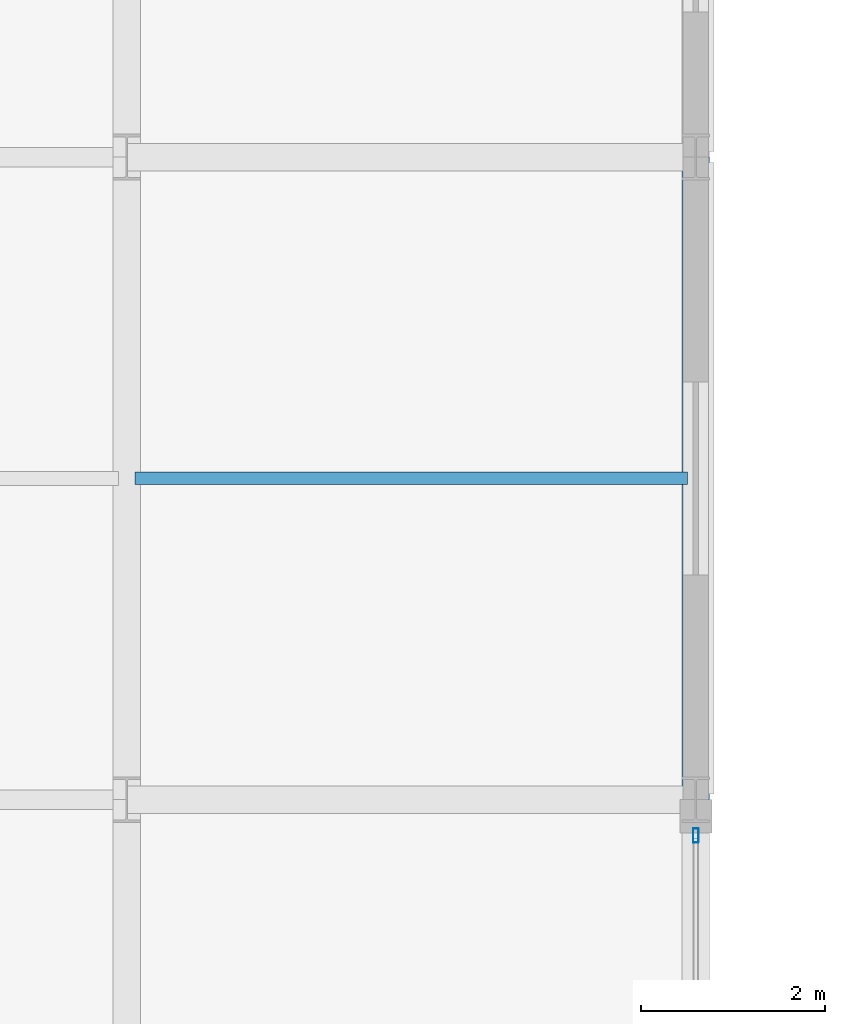
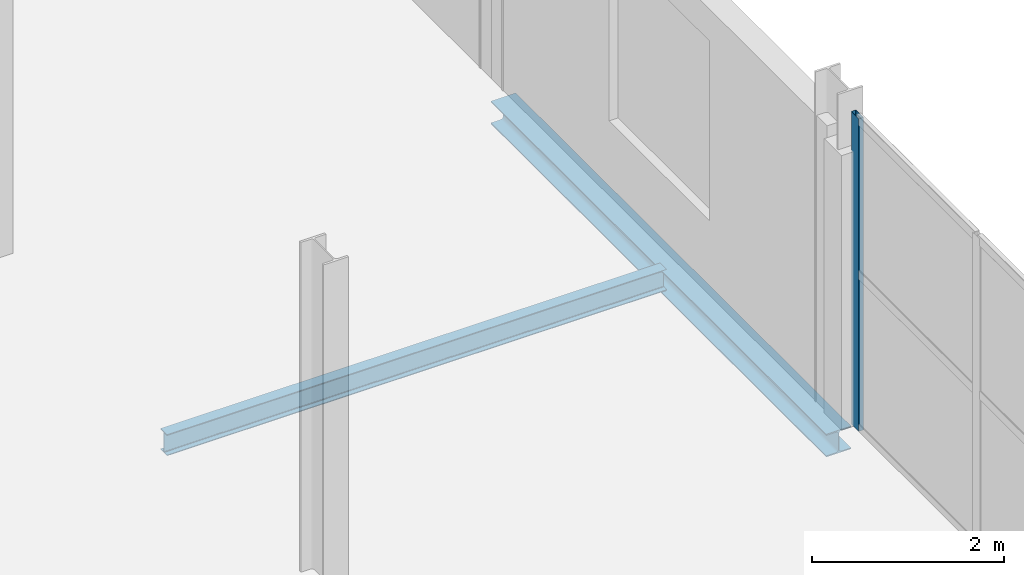
# One storey, part 64 of 101: 2 beams, 1 member, 1 element without a shape of its own.
"""IFC4 building model written with IfcOpenShell, lengths in metres."""

from ifc_helpers import new_model, si_unit, direction, frame, origin, origin_2d, place, context, subcontext, project, spatial, hollow_rectangle, i_section, extrude, material, layer, layer_set, material_profile, profile_set, type_object, element, aggregate, save


model = new_model("IFC4")

# Units and contexts
model_context = context("Model", 3, precision=1e-05, world=origin(), true_north=direction((0.0, 1.0)))
body_context = subcontext(model_context, "Body", "Model", "MODEL_VIEW")
ifc_project = project(units=[si_unit("LENGTHUNIT", "METRE"), si_unit("AREAUNIT", "SQUARE_METRE"), si_unit("VOLUMEUNIT", "CUBIC_METRE"), si_unit("PLANEANGLEUNIT", "RADIAN"), si_unit("MASSUNIT", "GRAM", prefix="KILO")], contexts=[model_context])

# Site, building, storey
site_placement = place(None, origin())
site = spatial("IfcSite", under=ifc_project, at=site_placement, CompositionType="ELEMENT")
building_placement = place(site_placement, origin())
building = spatial("IfcBuilding", under=site, at=building_placement, Name="Vekula Escarpment Museum", CompositionType="ELEMENT")
storey_placement = place(building_placement, frame((0.0, 0.0, 18.0)))
storey = spatial("IfcBuildingStorey", under=building, at=storey_placement, Name="L04", CompositionType="ELEMENT", Elevation=18.0)

# Beams
ifc_material_1 = material(Name="Steel S355", Category="steel")
ifc_material_profile_1 = material_profile(ifc_material_1, i_section(OverallWidth=0.135009765625, OverallDepth=0.27001953125, WebThickness=0.006591796875, FlangeThickness=0.01025390625, FilletRadius=0.014892578125, at=origin_2d()), Name="IPE 270")
ifc_profile_set_1 = profile_set([ifc_material_profile_1], Name="Steel S355")
beam_type_1 = type_object("IfcBeamType", Name="BM-JST-IPE270", PredefinedType="JOIST", material=ifc_profile_set_1)
beam_1_placement = place(storey_placement, frame((191.889892578125, 79.89990234375, -0.4150390625), z_axis=(1.0, 0.0, 0.0), x_axis=(0.0, 1.0, 0.0)))
element("IfcBeam", 1, at=beam_1_placement, inside=storey, type_object=beam_type_1, Name="Secondary Joist L04 1280", PredefinedType="JOIST", context=body_context, shape_type="SweptSolid", body=[
    extrude(i_section(OverallWidth=0.135009765625, OverallDepth=0.27001953125, WebThickness=0.006591796875, FlangeThickness=0.01025390625, FilletRadius=0.014892578125, at=origin_2d()), origin(), (0.0, 0.0, 1.0), 6.02001953125),
])
ifc_material_2 = material(Name="Steel S355", Category="steel")
ifc_material_profile_2 = material_profile(ifc_material_2, i_section(OverallWidth=0.300048828125, OverallDepth=0.2900390625, WebThickness=0.008544921875, FlangeThickness=0.013916015625, FilletRadius=0.027099609375, at=origin_2d()), Name="HEA 300")
ifc_profile_set_2 = profile_set([ifc_material_profile_2], Name="Steel S355")
beam_type_2 = type_object("IfcBeamType", Name="BM-SPAN-HEA300", PredefinedType="SPANDREL", material=ifc_profile_set_2)
beam_2_placement = place(storey_placement, frame((198.0, 76.39990234375, -0.425048828125), z_axis=(0.0, 1.0, 0.0), x_axis=(-1.0, 0.0, 0.0)))
element("IfcBeam", 2, at=beam_2_placement, inside=storey, type_object=beam_type_2, Name="Beam Y L04 1952", PredefinedType="SPANDREL", context=body_context, shape_type="SweptSolid", body=[
    extrude(i_section(OverallWidth=0.300048828125, OverallDepth=0.2900390625, WebThickness=0.008544921875, FlangeThickness=0.013916015625, FilletRadius=0.027099609375, at=origin_2d()), origin(), (0.0, 0.0, 1.0), 7.0),
])

# Curtain wall, member
ifc_material_3 = material(Name="Aluminium thermally broken framing", Category="aluminium")
ifc_layer = layer(ifc_material_3, 0.139892578125)
ifc_layer_set = layer_set([ifc_layer], Name="Aluminium thermally broken framing")
curtain_wall_type = type_object("IfcCurtainWallType", Name="CW-SYS-06", PredefinedType="NOTDEFINED", material=ifc_layer_set)
curtain_wall_placement = place(storey_placement, origin())
curtain_wall = element("IfcCurtainWall", 3, at=curtain_wall_placement, inside=storey, type_object=curtain_wall_type, Name="Curtain Wall CW-L04-146", PredefinedType="NOTDEFINED")
ifc_material_4 = material(Name="Aluminium anodized mullion", Category="aluminium")
ifc_material_profile_3 = material_profile(ifc_material_4, hollow_rectangle(XDim=0.06005859375, YDim=0.159912109375, WallThickness=0.00390625, InnerFilletRadius=0.00390625, OuterFilletRadius=0.008056640625, at=origin_2d()), Name="ALU 160x60x4")
ifc_profile_set_3 = profile_set([ifc_material_profile_3], Name="Aluminium anodized mullion")
member_type = type_object("IfcMemberType", Name="CW-MUL-160", PredefinedType="MULLION", material=ifc_profile_set_3)
member_placement = place(storey_placement, frame((198.0, 76.010009765625, 0.0), z_axis=(0.0, 0.0, 1.0), x_axis=(-1.0, 0.0, 0.0)))
member = element("IfcMember", 4, at=member_placement, type_object=member_type, Name="CW-06 mullion 4", PredefinedType="MULLION", context=body_context, shape_type="SweptSolid", body=[
    extrude(hollow_rectangle(XDim=0.06005859375, YDim=0.159912109375, WallThickness=0.00390625, InnerFilletRadius=0.00390625, OuterFilletRadius=0.008056640625, at=origin_2d()), origin(), (0.0, 0.0, 1.0), 3.97998046875),
])
aggregate(curtain_wall, [member])

save(model, "model.ifc")
